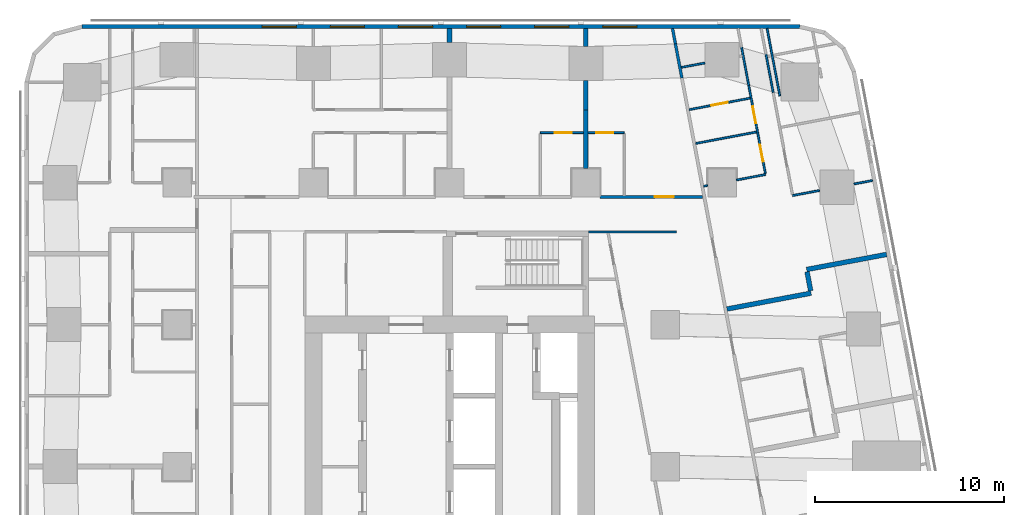
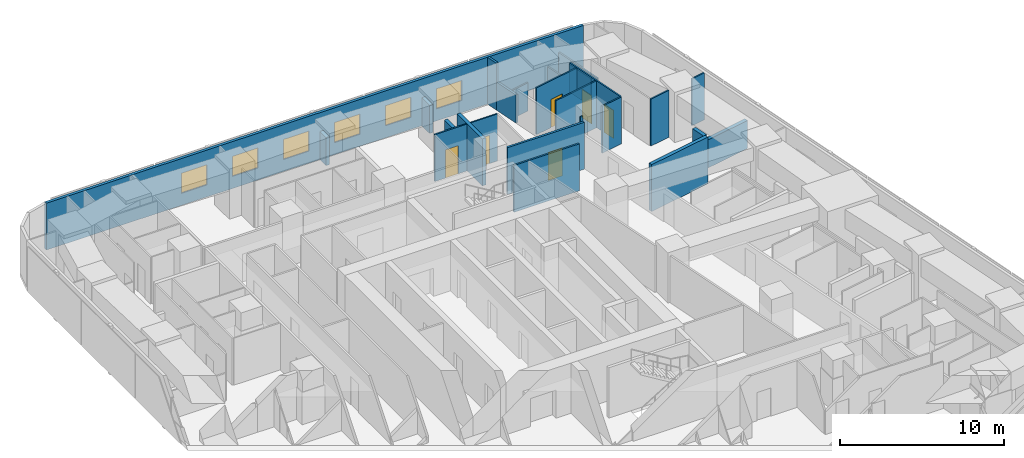
# One storey, part 10 of 15: 25 walls, 6 doors, 6 windows, 12 openings.
"""IFC4 building model written with IfcOpenShell, lengths in metres."""

from ifc_helpers import new_model, si_unit, direction, frame, frame_2d, origin, place, context, subcontext, project, spatial, rectangle, extrude, material, layer, layer_set, type_object, element, fill, save


model = new_model("IFC4")

# Units and contexts
model_context = context("Model", 3, precision=1e-05, world=origin(), true_north=direction((0.0, 1.0)))
body_context = subcontext(model_context, "Body", "Model", "MODEL_VIEW")
ifc_project = project(units=[si_unit("LENGTHUNIT", "METRE"), si_unit("AREAUNIT", "SQUARE_METRE"), si_unit("VOLUMEUNIT", "CUBIC_METRE"), si_unit("PLANEANGLEUNIT", "RADIAN"), si_unit("MASSUNIT", "GRAM", prefix="KILO")], contexts=[model_context])

# Site, building, storey
site_placement = place(None, origin())
site = spatial("IfcSite", under=ifc_project, at=site_placement, CompositionType="ELEMENT")
building_placement = place(site_placement, origin())
building = spatial("IfcBuilding", under=site, at=building_placement, Name="Sheger Commons Tower", CompositionType="ELEMENT")
storey_placement = place(building_placement, frame((0.0, 0.0, 169.550048828125)))
storey = spatial("IfcBuildingStorey", under=building, at=storey_placement, Name="L43", CompositionType="ELEMENT", Elevation=169.550048828125)

# Wall, opening, door
ifc_material_1 = material(Name="Hollow concrete block masonry, skimmed both sides", Category="masonry")
ifc_layer_1 = layer(ifc_material_1, 0.14990234375)
ifc_layer_set_1 = layer_set([ifc_layer_1], Name="CORRIDOR WALL 150")
wall_type_1 = type_object("IfcWallType", Name="CORRIDOR WALL 150", PredefinedType="SOLIDWALL", material=ifc_layer_set_1)
wall_1_placement = place(storey_placement, frame((29.551025390625, 36.75, 0.0), z_axis=(0.0, 0.0, 1.0), x_axis=(1.0, 0.0, 0.0)))
wall_1 = element("IfcWall", 1, at=wall_1_placement, inside=storey, type_object=wall_type_1, Name="Corridor wall L43", PredefinedType="SOLIDWALL", context=body_context, shape_type="SweptSolid", body=[
    extrude(rectangle(XDim=5.421875, YDim=0.14990234375, at=frame_2d((2.7109375, 0.0))), origin(), (0.0, 0.0, 1.0), 3.5),
])
opening_1_placement = place(wall_1_placement, frame((2.89501953125, 0.0, 0.0)))
opening_1 = element("IfcOpeningElement", 2, at=opening_1_placement, cuts=wall_1, Name="Opening D1", PredefinedType="OPENING", context=body_context, shape_type="SweptSolid", body=[
    extrude(rectangle(XDim=1.0, YDim=2.10009765625, at=frame_2d((0.5, 1.050048828125))), frame((0.0, 0.0849609375, 0.0), z_axis=(0.0, -1.0, 0.0), x_axis=(1.0, 0.0, 0.0)), (0.0, 0.0, 1.0), 0.169921875),
])
ifc_material_2 = material(Name="Steel door set, fire rated", Category="steel")
door_type_1 = type_object("IfcDoorType", Name="FLAT ENTRANCE DOOR 1000x2100", OperationType="NOTDEFINED", PredefinedType="DOOR", material=ifc_material_2)
door_1_placement = place(opening_1_placement, origin())
door_1 = element("IfcDoor", 3, at=door_1_placement, inside=storey, type_object=door_type_1, Name="Flat entrance door", OperationType="SINGLE_SWING_RIGHT", OverallHeight=2.10009765625, OverallWidth=1.0, PredefinedType="DOOR", context=body_context, shape_type="SweptSolid", body=[
    extrude(rectangle(XDim=1.0, YDim=2.10009765625, at=frame_2d((0.5, 1.050048828125))), frame((0.0, 0.02490234375, 0.0), z_axis=(0.0, -1.0, 0.0), x_axis=(1.0, 0.0, 0.0)), (0.0, 0.0, 1.0), 0.050048828125),
])
fill(opening_1, door_1)

# Walls
wall_2_placement = place(storey_placement, frame((33.382080078125, 45.64990234375, 0.0), z_axis=(0.0, 0.0, 1.0), x_axis=(0.185169202764, -0.982706653253, 0.0)))
element("IfcWall", 4, at=wall_2_placement, inside=storey, type_object=wall_type_1, Name="Corridor wall L43", PredefinedType="SOLIDWALL", context=body_context, shape_type="SweptSolid", body=[
    extrude(rectangle(XDim=0.820068359375, YDim=0.14990234375, at=frame_2d((0.41015625, 0.0))), origin(), (0.0, 0.0, 1.0), 3.5),
])
wall_3_placement = place(storey_placement, frame((33.533935546875, 44.843994140625, 0.0), z_axis=(0.0, 0.0, 1.0), x_axis=(0.185708872674, -0.982604811005, 0.0)))
element("IfcWall", 5, at=wall_3_placement, inside=storey, type_object=wall_type_1, Name="Corridor wall L43", PredefinedType="SOLIDWALL", context=body_context, shape_type="SweptSolid", body=[
    extrude(rectangle(XDim=1.84716796875, YDim=0.14990234375, at=frame_2d((0.923583984375, 0.0))), origin(), (0.0, 0.0, 1.0), 2.099853515625),
])
ifc_material_3 = material(Name="Dense concrete block masonry, plastered both sides (separating wall between flats)", Category="masonry")
ifc_layer_2 = layer(ifc_material_3, 0.25)
ifc_layer_set_2 = layer_set([ifc_layer_2], Name="DEMISING WALL 250")
wall_type_2 = type_object("IfcWallType", Name="DEMISING WALL 250", PredefinedType="SOLIDWALL", material=ifc_layer_set_2)
wall_4_placement = place(storey_placement, frame((44.693115234375, 33.712890625, 0.0), z_axis=(0.0, 0.0, 1.0), x_axis=(-0.982633535512, -0.185556823879, 0.0)))
element("IfcWall", 6, at=wall_4_placement, inside=storey, type_object=wall_type_2, Name="Demising wall L43", PredefinedType="SOLIDWALL", context=body_context, shape_type="SweptSolid", body=[
    extrude(rectangle(XDim=4.2998046875, YDim=0.25, at=frame_2d((2.14990234375, 0.0))), origin(), (0.0, 0.0, 1.0), 2.099853515625),
])
wall_5_placement = place(storey_placement, frame((40.7041015625, 31.666015625, 0.0), z_axis=(0.0, 0.0, 1.0), x_axis=(-0.982612837616, -0.185666398014, 0.0)))
element("IfcWall", 7, at=wall_5_placement, inside=storey, type_object=wall_type_2, Name="Demising wall L43", PredefinedType="SOLIDWALL", context=body_context, shape_type="SweptSolid", body=[
    extrude(rectangle(XDim=4.524658203125, YDim=0.25, at=frame_2d((2.26220703125, 0.0))), origin(), (0.0, 0.0, 1.0), 3.5),
])
wall_6_placement = place(storey_placement, frame((40.490966796875, 32.7919921875, 0.0), z_axis=(0.0, 0.0, 1.0), x_axis=(0.18607888991, -0.982534806879, 0.0)))
element("IfcWall", 8, at=wall_6_placement, inside=storey, type_object=wall_type_2, Name="Demising wall L43", PredefinedType="SOLIDWALL", context=body_context, shape_type="SweptSolid", body=[
    extrude(rectangle(XDim=1.020751953125, YDim=0.25, at=frame_2d((0.51025390625, 0.0))), origin(), (0.0, 0.0, 1.0), 3.5),
])
wall_7_placement = place(storey_placement, frame((21.60009765625, 44.90087890625, 0.0), z_axis=(0.0, 0.0, 1.0), x_axis=(0.0, 1.0, 0.0)))
element("IfcWall", 9, at=wall_7_placement, inside=storey, type_object=wall_type_2, Name="Demising wall L43", PredefinedType="SOLIDWALL", context=body_context, shape_type="SweptSolid", body=[
    extrude(rectangle(XDim=0.7490234375, YDim=0.25, at=frame_2d((0.37451171875, 0.0))), origin(), (0.0, 0.0, 1.0), 2.099853515625),
])
wall_8_placement = place(storey_placement, frame((28.800048828125, 41.35009765625, 0.0), z_axis=(0.0, 0.0, 1.0), x_axis=(0.0, 1.0, 0.0)))
element("IfcWall", 10, at=wall_8_placement, inside=storey, type_object=wall_type_2, Name="Demising wall L43", PredefinedType="SOLIDWALL", context=body_context, shape_type="SweptSolid", body=[
    extrude(rectangle(XDim=1.548828125, YDim=0.25, at=frame_2d((0.7744140625, 0.0))), origin(), (0.0, 0.0, 1.0), 2.099853515625),
])
wall_9_placement = place(storey_placement, frame((28.800048828125, 44.700927734375, 0.0), z_axis=(0.0, 0.0, 1.0), x_axis=(0.0, 1.0, 0.0)))
element("IfcWall", 11, at=wall_9_placement, inside=storey, type_object=wall_type_2, Name="Demising wall L43", PredefinedType="SOLIDWALL", context=body_context, shape_type="SweptSolid", body=[
    extrude(rectangle(XDim=0.948974609375, YDim=0.25, at=frame_2d((0.474609375, 0.0))), origin(), (0.0, 0.0, 1.0), 2.099853515625),
])
wall_10_placement = place(storey_placement, frame((28.800048828125, 38.2509765625, 0.0), z_axis=(0.0, 0.0, 1.0), x_axis=(0.0, 1.0, 0.0)))
element("IfcWall", 12, at=wall_10_placement, inside=storey, type_object=wall_type_2, Name="Demising wall L43", PredefinedType="SOLIDWALL", context=body_context, shape_type="SweptSolid", body=[
    extrude(rectangle(XDim=3.09912109375, YDim=0.25, at=frame_2d((1.549560546875, 0.0))), origin(), (0.0, 0.0, 1.0), 3.5),
])

# Wall, openings, windows
ifc_material_4 = material(Name="Rendered concrete block masonry, dark grey", Category="masonry")
ifc_layer_3 = layer(ifc_material_4, 0.199951171875)
ifc_layer_set_3 = layer_set([ifc_layer_3], Name="FACADE WALL 200")
wall_type_3 = type_object("IfcWallType", Name="FACADE WALL 200", PredefinedType="SOLIDWALL", material=ifc_layer_set_3)
wall_11_placement = place(storey_placement, frame((40.10595703125, 45.75, 0.0), z_axis=(0.0, 0.0, 1.0), x_axis=(-1.0, 0.0, 0.0)))
wall_11 = element("IfcWall", 13, at=wall_11_placement, inside=storey, type_object=wall_type_3, Name="Facade wall L43", PredefinedType="SOLIDWALL", context=body_context, shape_type="SweptSolid", body=[
    extrude(rectangle(XDim=37.94287109375, YDim=0.199951171875, at=frame_2d((18.971435546875, 0.0))), origin(), (0.0, 0.0, 1.0), 3.5),
])
opening_2_placement = place(wall_11_placement, frame((8.60595703125, 0.0, 0.89990234375)))
opening_2 = element("IfcOpeningElement", 14, at=opening_2_placement, cuts=wall_11, Name="Opening W2", PredefinedType="OPENING", context=body_context, shape_type="SweptSolid", body=[
    extrude(rectangle(XDim=1.800048828125, YDim=1.5, at=frame_2d((0.89990234375, 0.75))), frame((0.0, 0.10986328125, 0.0), z_axis=(0.0, -1.0, 0.0), x_axis=(1.0, 0.0, 0.0)), (0.0, 0.0, 1.0), 0.219970703125),
])
opening_3_placement = place(wall_11_placement, frame((12.2060546875, 0.0, 0.89990234375)))
opening_3 = element("IfcOpeningElement", 15, at=opening_3_placement, cuts=wall_11, Name="Opening W2", PredefinedType="OPENING", context=body_context, shape_type="SweptSolid", body=[
    extrude(rectangle(XDim=1.800048828125, YDim=1.5, at=frame_2d((0.89990234375, 0.75))), frame((0.0, 0.10986328125, 0.0), z_axis=(0.0, -1.0, 0.0), x_axis=(1.0, 0.0, 0.0)), (0.0, 0.0, 1.0), 0.219970703125),
])
opening_4_placement = place(wall_11_placement, frame((15.805908203125, 0.0, 0.89990234375)))
opening_4 = element("IfcOpeningElement", 16, at=opening_4_placement, cuts=wall_11, Name="Opening W2", PredefinedType="OPENING", context=body_context, shape_type="SweptSolid", body=[
    extrude(rectangle(XDim=1.800048828125, YDim=1.5, at=frame_2d((0.89990234375, 0.75))), frame((0.0, 0.10986328125, 0.0), z_axis=(0.0, -1.0, 0.0), x_axis=(1.0, 0.0, 0.0)), (0.0, 0.0, 1.0), 0.219970703125),
])
opening_5_placement = place(wall_11_placement, frame((19.406005859375, 0.0, 0.89990234375)))
opening_5 = element("IfcOpeningElement", 17, at=opening_5_placement, cuts=wall_11, Name="Opening W2", PredefinedType="OPENING", context=body_context, shape_type="SweptSolid", body=[
    extrude(rectangle(XDim=1.800048828125, YDim=1.5, at=frame_2d((0.89990234375, 0.75))), frame((0.0, 0.10986328125, 0.0), z_axis=(0.0, -1.0, 0.0), x_axis=(1.0, 0.0, 0.0)), (0.0, 0.0, 1.0), 0.219970703125),
])
opening_6_placement = place(wall_11_placement, frame((23.006103515625, 0.0, 0.89990234375)))
opening_6 = element("IfcOpeningElement", 18, at=opening_6_placement, cuts=wall_11, Name="Opening W2", PredefinedType="OPENING", context=body_context, shape_type="SweptSolid", body=[
    extrude(rectangle(XDim=1.800048828125, YDim=1.5, at=frame_2d((0.89990234375, 0.75))), frame((0.0, 0.10986328125, 0.0), z_axis=(0.0, -1.0, 0.0), x_axis=(1.0, 0.0, 0.0)), (0.0, 0.0, 1.0), 0.219970703125),
])
opening_7_placement = place(wall_11_placement, frame((26.60595703125, 0.0, 0.89990234375)))
opening_7 = element("IfcOpeningElement", 19, at=opening_7_placement, cuts=wall_11, Name="Opening W2", PredefinedType="OPENING", context=body_context, shape_type="SweptSolid", body=[
    extrude(rectangle(XDim=1.800048828125, YDim=1.5, at=frame_2d((0.89990234375, 0.75))), frame((0.0, 0.10986328125, 0.0), z_axis=(0.0, -1.0, 0.0), x_axis=(1.0, 0.0, 0.0)), (0.0, 0.0, 1.0), 0.219970703125),
])
ifc_material_5 = material(Name="Black aluminium frame, dark tinted double glazing", Category="aluminium")
window_type = type_object("IfcWindowType", Name="WINDOW W2 1800x1500", PartitioningType="SINGLE_PANEL", PredefinedType="WINDOW", material=ifc_material_5)
window_1_placement = place(opening_2_placement, origin())
window_1 = element("IfcWindow", 20, at=window_1_placement, inside=storey, type_object=window_type, Name="Window W2 1800X1500", OverallHeight=1.5, OverallWidth=1.800048828125, PartitioningType="SINGLE_PANEL", PredefinedType="WINDOW", context=body_context, shape_type="SweptSolid", body=[
    extrude(rectangle(XDim=1.800048828125, YDim=1.5, at=frame_2d((0.89990234375, 0.75))), frame((0.0, 0.030029296875, 0.0), z_axis=(0.0, -1.0, 0.0), x_axis=(1.0, 0.0, 0.0)), (0.0, 0.0, 1.0), 0.06005859375),
])
fill(opening_2, window_1)
window_2_placement = place(opening_3_placement, origin())
window_2 = element("IfcWindow", 21, at=window_2_placement, inside=storey, type_object=window_type, Name="Window W2 1800X1500", OverallHeight=1.5, OverallWidth=1.800048828125, PartitioningType="SINGLE_PANEL", PredefinedType="WINDOW", context=body_context, shape_type="SweptSolid", body=[
    extrude(rectangle(XDim=1.800048828125, YDim=1.5, at=frame_2d((0.89990234375, 0.75))), frame((0.0, 0.030029296875, 0.0), z_axis=(0.0, -1.0, 0.0), x_axis=(1.0, 0.0, 0.0)), (0.0, 0.0, 1.0), 0.06005859375),
])
fill(opening_3, window_2)
window_3_placement = place(opening_4_placement, origin())
window_3 = element("IfcWindow", 22, at=window_3_placement, inside=storey, type_object=window_type, Name="Window W2 1800X1500", OverallHeight=1.5, OverallWidth=1.800048828125, PartitioningType="SINGLE_PANEL", PredefinedType="WINDOW", context=body_context, shape_type="SweptSolid", body=[
    extrude(rectangle(XDim=1.800048828125, YDim=1.5, at=frame_2d((0.89990234375, 0.75))), frame((0.0, 0.030029296875, 0.0), z_axis=(0.0, -1.0, 0.0), x_axis=(1.0, 0.0, 0.0)), (0.0, 0.0, 1.0), 0.06005859375),
])
fill(opening_4, window_3)
window_4_placement = place(opening_5_placement, origin())
window_4 = element("IfcWindow", 23, at=window_4_placement, inside=storey, type_object=window_type, Name="Window W2 1800X1500", OverallHeight=1.5, OverallWidth=1.800048828125, PartitioningType="SINGLE_PANEL", PredefinedType="WINDOW", context=body_context, shape_type="SweptSolid", body=[
    extrude(rectangle(XDim=1.800048828125, YDim=1.5, at=frame_2d((0.89990234375, 0.75))), frame((0.0, 0.030029296875, 0.0), z_axis=(0.0, -1.0, 0.0), x_axis=(1.0, 0.0, 0.0)), (0.0, 0.0, 1.0), 0.06005859375),
])
fill(opening_5, window_4)
window_5_placement = place(opening_6_placement, origin())
window_5 = element("IfcWindow", 24, at=window_5_placement, inside=storey, type_object=window_type, Name="Window W2 1800X1500", OverallHeight=1.5, OverallWidth=1.800048828125, PartitioningType="SINGLE_PANEL", PredefinedType="WINDOW", context=body_context, shape_type="SweptSolid", body=[
    extrude(rectangle(XDim=1.800048828125, YDim=1.5, at=frame_2d((0.89990234375, 0.75))), frame((0.0, 0.030029296875, 0.0), z_axis=(0.0, -1.0, 0.0), x_axis=(1.0, 0.0, 0.0)), (0.0, 0.0, 1.0), 0.06005859375),
])
fill(opening_6, window_5)
window_6_placement = place(opening_7_placement, origin())
window_6 = element("IfcWindow", 25, at=window_6_placement, inside=storey, type_object=window_type, Name="Window W2 1800X1500", OverallHeight=1.5, OverallWidth=1.800048828125, PartitioningType="SINGLE_PANEL", PredefinedType="WINDOW", context=body_context, shape_type="SweptSolid", body=[
    extrude(rectangle(XDim=1.800048828125, YDim=1.5, at=frame_2d((0.89990234375, 0.75))), frame((0.0, 0.030029296875, 0.0), z_axis=(0.0, -1.0, 0.0), x_axis=(1.0, 0.0, 0.0)), (0.0, 0.0, 1.0), 0.06005859375),
])
fill(opening_7, window_6)

# Walls
ifc_material_6 = material(Name="Gypsum board on steel studs", Category="steel")
ifc_layer_4 = layer(ifc_material_6, 0.10009765625)
ifc_layer_set_4 = layer_set([ifc_layer_4], Name="PARTITION 100")
wall_type_4 = type_object("IfcWallType", Name="PARTITION 100", PredefinedType="PARTITIONING", material=ifc_layer_set_4)
wall_12_placement = place(storey_placement, frame((39.053955078125, 42.0849609375, 0.0), z_axis=(0.0, 0.0, 1.0), x_axis=(-0.185791584218, 0.982589175207, 0.0)))
element("IfcWall", 26, at=wall_12_placement, inside=storey, type_object=wall_type_4, Name="Partition L43", PredefinedType="PARTITIONING", context=body_context, shape_type="SweptSolid", body=[
    extrude(rectangle(XDim=3.628173828125, YDim=0.10009765625, at=frame_2d((1.81396484375, 0.0))), origin(), (0.0, 0.0, 1.0), 2.099853515625),
])
wall_13_placement = place(storey_placement, frame((38.318115234375, 44.298095703125, 0.0), z_axis=(0.0, 0.0, 1.0), x_axis=(0.185481135188, -0.982647825261, 0.0)))
element("IfcWall", 27, at=wall_13_placement, inside=storey, type_object=wall_type_4, Name="Partition L43", PredefinedType="PARTITIONING", context=body_context, shape_type="SweptSolid", body=[
    extrude(rectangle(XDim=2.06396484375, YDim=0.10009765625, at=frame_2d((1.031982421875, 0.0))), origin(), (0.0, 0.0, 1.0), 2.099853515625),
])
wall_14_placement = place(storey_placement, frame((37.027099609375, 44.666015625, 0.0), z_axis=(0.0, 0.0, 1.0), x_axis=(0.1855674151, -0.982631535446, 0.0)))
element("IfcWall", 28, at=wall_14_placement, inside=storey, type_object=wall_type_4, Name="Partition L43", PredefinedType="PARTITIONING", context=body_context, shape_type="SweptSolid", body=[
    extrude(rectangle(XDim=2.06298828125, YDim=0.10009765625, at=frame_2d((1.031494140625, 0.0))), origin(), (0.0, 0.0, 1.0), 2.099853515625),
])

# Wall, openings, doors
wall_15_placement = place(storey_placement, frame((37.409912109375, 42.638916015625, 0.0), z_axis=(0.0, 0.0, 1.0), x_axis=(0.185579683022, -0.982629218601, 0.0)))
wall_15 = element("IfcWall", 29, at=wall_15_placement, inside=storey, type_object=wall_type_4, Name="Partition L43", PredefinedType="PARTITIONING", context=body_context, shape_type="SweptSolid", body=[
    extrude(rectangle(XDim=4.7373046875, YDim=0.10009765625, at=frame_2d((2.36865234375, 0.0))), origin(), (0.0, 0.0, 1.0), 3.5),
])
opening_8_placement = place(wall_15_placement, frame((3.18896484375, 0.0, 0.0)))
opening_8 = element("IfcOpeningElement", 30, at=opening_8_placement, cuts=wall_15, Name="Opening D2", PredefinedType="OPENING", context=body_context, shape_type="SweptSolid", body=[
    extrude(rectangle(XDim=0.89990234375, YDim=2.10009765625, at=frame_2d((0.449951171875, 1.050048828125))), frame((0.0, 0.06005859375, 0.0), z_axis=(0.0, -1.0, 0.0), x_axis=(1.0, 0.0, 0.0)), (0.0, 0.0, 1.0), 0.1201171875),
])
opening_9_placement = place(wall_15_placement, frame((1.131103515625, 0.0, 0.0)))
opening_9 = element("IfcOpeningElement", 31, at=opening_9_placement, cuts=wall_15, Name="Opening D2", PredefinedType="OPENING", context=body_context, shape_type="SweptSolid", body=[
    extrude(rectangle(XDim=0.89990234375, YDim=2.10009765625, at=frame_2d((0.449951171875, 1.050048828125))), frame((0.0, 0.06005859375, 0.0), z_axis=(0.0, -1.0, 0.0), x_axis=(1.0, 0.0, 0.0)), (0.0, 0.0, 1.0), 0.1201171875),
])
ifc_material_7 = material(Name="Timber door set", Category="wood")
door_type_2 = type_object("IfcDoorType", Name="INTERNAL DOOR 900x2100", OperationType="NOTDEFINED", PredefinedType="DOOR", material=ifc_material_7)
door_2_placement = place(opening_8_placement, origin())
door_2 = element("IfcDoor", 32, at=door_2_placement, inside=storey, type_object=door_type_2, Name="Bathroom door", OperationType="SINGLE_SWING_LEFT", OverallHeight=2.10009765625, OverallWidth=0.89990234375, PredefinedType="DOOR", context=body_context, shape_type="SweptSolid", body=[
    extrude(rectangle(XDim=0.89990234375, YDim=2.10009765625, at=frame_2d((0.449951171875, 1.050048828125))), frame((0.0, 0.02490234375, 0.0), z_axis=(0.0, -1.0, 0.0), x_axis=(1.0, 0.0, 0.0)), (0.0, 0.0, 1.0), 0.050048828125),
])
fill(opening_8, door_2)
door_3_placement = place(opening_9_placement, origin())
door_3 = element("IfcDoor", 33, at=door_3_placement, inside=storey, type_object=door_type_2, Name="Laundry room door", OperationType="SINGLE_SWING_RIGHT", OverallHeight=2.10009765625, OverallWidth=0.89990234375, PredefinedType="DOOR", context=body_context, shape_type="SweptSolid", body=[
    extrude(rectangle(XDim=0.89990234375, YDim=2.10009765625, at=frame_2d((0.449951171875, 1.050048828125))), frame((0.0, 0.02490234375, 0.0), z_axis=(0.0, -1.0, 0.0), x_axis=(1.0, 0.0, 0.0)), (0.0, 0.0, 1.0), 0.050048828125),
])
fill(opening_9, door_3)

# Walls
wall_16_placement = place(storey_placement, frame((43.955078125, 37.6201171875, 0.0), z_axis=(0.0, 0.0, 1.0), x_axis=(-0.982666697719, -0.185381124159, 0.0)))
element("IfcWall", 34, at=wall_16_placement, inside=storey, type_object=wall_type_4, Name="Partition L43", PredefinedType="PARTITIONING", context=body_context, shape_type="SweptSolid", body=[
    extrude(rectangle(XDim=0.998291015625, YDim=0.10009765625, at=frame_2d((0.4990234375, 0.0))), origin(), (0.0, 0.0, 1.0), 3.5),
])
wall_17_placement = place(storey_placement, frame((41.154052734375, 37.091064453125, 0.0), z_axis=(0.0, 0.0, 1.0), x_axis=(-0.982617614942, -0.185641112921, 0.0)))
element("IfcWall", 35, at=wall_17_placement, inside=storey, type_object=wall_type_4, Name="Partition L43", PredefinedType="PARTITIONING", context=body_context, shape_type="SweptSolid", body=[
    extrude(rectangle(XDim=1.44921875, YDim=0.10009765625, at=frame_2d((0.724609375, 0.0))), origin(), (0.0, 0.0, 1.0), 3.5),
])
wall_18_placement = place(storey_placement, frame((35.090087890625, 43.827880859375, 0.0), z_axis=(0.0, 0.0, 1.0), x_axis=(-0.982758384778, -0.184894448668, 0.0)))
element("IfcWall", 36, at=wall_18_placement, inside=storey, type_object=wall_type_4, Name="Partition L43", PredefinedType="PARTITIONING", context=body_context, shape_type="SweptSolid", body=[
    extrude(rectangle(XDim=1.264892578125, YDim=0.10009765625, at=frame_2d((0.63232421875, 0.0))), origin(), (0.0, 0.0, 1.0), 2.099853515625),
])
wall_19_placement = place(storey_placement, frame((37.822998046875, 40.181884765625, 0.0), z_axis=(0.0, 0.0, 1.0), x_axis=(-0.982664729897, -0.18539155487, 0.0)))
element("IfcWall", 37, at=wall_19_placement, inside=storey, type_object=wall_type_4, Name="Partition L43", PredefinedType="PARTITIONING", context=body_context, shape_type="SweptSolid", body=[
    extrude(rectangle(XDim=3.273681640625, YDim=0.10009765625, at=frame_2d((1.63671875, 0.0))), origin(), (0.0, 0.0, 1.0), 3.5),
])
wall_20_placement = place(storey_placement, frame((38.299072265625, 37.93505859375, 0.0), z_axis=(0.0, 0.0, 1.0), x_axis=(-0.98258870752, -0.18579405764, 0.0)))
element("IfcWall", 38, at=wall_20_placement, inside=storey, type_object=wall_type_4, Name="Partition L43", PredefinedType="PARTITIONING", context=body_context, shape_type="SweptSolid", body=[
    extrude(rectangle(XDim=1.56640625, YDim=0.10009765625, at=frame_2d((0.783203125, 0.0))), origin(), (0.0, 0.0, 1.0), 3.5),
])
wall_21_placement = place(storey_placement, frame((35.239990234375, 37.35595703125, 0.0), z_axis=(0.0, 0.0, 1.0), x_axis=(-0.982819911474, -0.184567119526, 0.0)))
element("IfcWall", 39, at=wall_21_placement, inside=storey, type_object=wall_type_4, Name="Partition L43", PredefinedType="PARTITIONING", context=body_context, shape_type="SweptSolid", body=[
    extrude(rectangle(XDim=0.211669921875, YDim=0.10009765625, at=frame_2d((0.10595703125, 0.0))), origin(), (0.0, 0.0, 1.0), 3.5),
])

# Wall, opening, door
wall_22_placement = place(storey_placement, frame((37.485107421875, 41.970947265625, 0.0), z_axis=(0.0, 0.0, 1.0), x_axis=(-0.982610347627, -0.185679575441, 0.0)))
wall_22 = element("IfcWall", 40, at=wall_22_placement, inside=storey, type_object=wall_type_4, Name="Partition L43", PredefinedType="PARTITIONING", context=body_context, shape_type="SweptSolid", body=[
    extrude(rectangle(XDim=3.27392578125, YDim=0.10009765625, at=frame_2d((1.636962890625, 0.0))), origin(), (0.0, 0.0, 1.0), 3.5),
])
opening_10_placement = place(wall_22_placement, frame((1.199951171875, 0.0, 0.0)))
opening_10 = element("IfcOpeningElement", 41, at=opening_10_placement, cuts=wall_22, Name="Opening D2", PredefinedType="OPENING", context=body_context, shape_type="SweptSolid", body=[
    extrude(rectangle(XDim=0.89990234375, YDim=2.10009765625, at=frame_2d((0.449951171875, 1.050048828125))), frame((0.0, 0.06005859375, 0.0), z_axis=(0.0, -1.0, 0.0), x_axis=(1.0, 0.0, 0.0)), (0.0, 0.0, 1.0), 0.1201171875),
])
door_4_placement = place(opening_10_placement, origin())
door_4 = element("IfcDoor", 42, at=door_4_placement, inside=storey, type_object=door_type_2, Name="Store door", OperationType="SINGLE_SWING_LEFT", OverallHeight=2.10009765625, OverallWidth=0.89990234375, PredefinedType="DOOR", context=body_context, shape_type="SweptSolid", body=[
    extrude(rectangle(XDim=0.89990234375, YDim=2.10009765625, at=frame_2d((0.449951171875, 1.050048828125))), frame((0.0, 0.02490234375, 0.0), z_axis=(0.0, -1.0, 0.0), x_axis=(1.0, 0.0, 0.0)), (0.0, 0.0, 1.0), 0.050048828125),
])
fill(opening_10, door_4)

wall_23_placement = place(storey_placement, frame((26.39892578125, 40.14990234375, 0.0), z_axis=(0.0, 0.0, 1.0), x_axis=(1.0, 0.0, 0.0)))
wall_23 = element("IfcWall", 43, at=wall_23_placement, inside=storey, type_object=wall_type_4, Name="Partition L43", PredefinedType="PARTITIONING", context=body_context, shape_type="SweptSolid", body=[
    extrude(rectangle(XDim=2.276123046875, YDim=0.10009765625, at=frame_2d((1.13818359375, 0.0))), origin(), (0.0, 0.0, 1.0), 3.5),
])
opening_11_placement = place(wall_23_placement, frame((0.75, 0.0, 0.0)))
opening_11 = element("IfcOpeningElement", 44, at=opening_11_placement, cuts=wall_23, Name="Opening D2", PredefinedType="OPENING", context=body_context, shape_type="SweptSolid", body=[
    extrude(rectangle(XDim=0.89990234375, YDim=2.10009765625, at=frame_2d((0.449951171875, 1.050048828125))), frame((0.0, 0.06005859375, 0.0), z_axis=(0.0, -1.0, 0.0), x_axis=(1.0, 0.0, 0.0)), (0.0, 0.0, 1.0), 0.1201171875),
])
door_5_placement = place(opening_11_placement, origin())
door_5 = element("IfcDoor", 45, at=door_5_placement, inside=storey, type_object=door_type_2, Name="Bathroom door", OperationType="SINGLE_SWING_LEFT", OverallHeight=2.10009765625, OverallWidth=0.89990234375, PredefinedType="DOOR", context=body_context, shape_type="SweptSolid", body=[
    extrude(rectangle(XDim=0.89990234375, YDim=2.10009765625, at=frame_2d((0.449951171875, 1.050048828125))), frame((0.0, 0.02490234375, 0.0), z_axis=(0.0, -1.0, 0.0), x_axis=(1.0, 0.0, 0.0)), (0.0, 0.0, 1.0), 0.050048828125),
])
fill(opening_11, door_5)

wall_24_placement = place(storey_placement, frame((28.925048828125, 40.14990234375, 0.0), z_axis=(0.0, 0.0, 1.0), x_axis=(1.0, 0.0, 0.0)))
wall_24 = element("IfcWall", 46, at=wall_24_placement, inside=storey, type_object=wall_type_4, Name="Partition L43", PredefinedType="PARTITIONING", context=body_context, shape_type="SweptSolid", body=[
    extrude(rectangle(XDim=1.904052734375, YDim=0.10009765625, at=frame_2d((0.9521484375, 0.0))), origin(), (0.0, 0.0, 1.0), 3.5),
])
opening_12_placement = place(wall_24_placement, frame((0.425048828125, 0.0, 0.0)))
opening_12 = element("IfcOpeningElement", 47, at=opening_12_placement, cuts=wall_24, Name="Opening D2", PredefinedType="OPENING", context=body_context, shape_type="SweptSolid", body=[
    extrude(rectangle(XDim=0.89990234375, YDim=2.10009765625, at=frame_2d((0.449951171875, 1.050048828125))), frame((0.0, 0.06005859375, 0.0), z_axis=(0.0, -1.0, 0.0), x_axis=(1.0, 0.0, 0.0)), (0.0, 0.0, 1.0), 0.1201171875),
])
door_6_placement = place(opening_12_placement, origin())
door_6 = element("IfcDoor", 48, at=door_6_placement, inside=storey, type_object=door_type_2, Name="Shower room door", OperationType="SINGLE_SWING_RIGHT", OverallHeight=2.10009765625, OverallWidth=0.89990234375, PredefinedType="DOOR", context=body_context, shape_type="SweptSolid", body=[
    extrude(rectangle(XDim=0.89990234375, YDim=2.10009765625, at=frame_2d((0.449951171875, 1.050048828125))), frame((0.0, 0.02490234375, 0.0), z_axis=(0.0, -1.0, 0.0), x_axis=(1.0, 0.0, 0.0)), (0.0, 0.0, 1.0), 0.050048828125),
])
fill(opening_12, door_6)

# Wall
ifc_material_8 = material(Name="Gypsum board on steel studs, two layers each side, fire rated", Category="steel")
ifc_layer_5 = layer(ifc_material_8, 0.125)
ifc_layer_set_5 = layer_set([ifc_layer_5], Name="SERVICE WALL 125")
wall_type_5 = type_object("IfcWallType", Name="SERVICE WALL 125", PredefinedType="PARTITIONING", material=ifc_layer_set_5)
wall_25_placement = place(storey_placement, frame((28.949951171875, 34.89990234375, 0.0), z_axis=(0.0, 0.0, 1.0), x_axis=(1.0, 0.0, 0.0)))
element("IfcWall", 49, at=wall_25_placement, inside=storey, type_object=wall_type_5, Name="Service room wall L43", PredefinedType="PARTITIONING", context=body_context, shape_type="SweptSolid", body=[
    extrude(rectangle(XDim=4.630126953125, YDim=0.125, at=frame_2d((2.31494140625, 0.0))), origin(), (0.0, 0.0, 1.0), 3.5),
])

save(model, "model.ifc")
